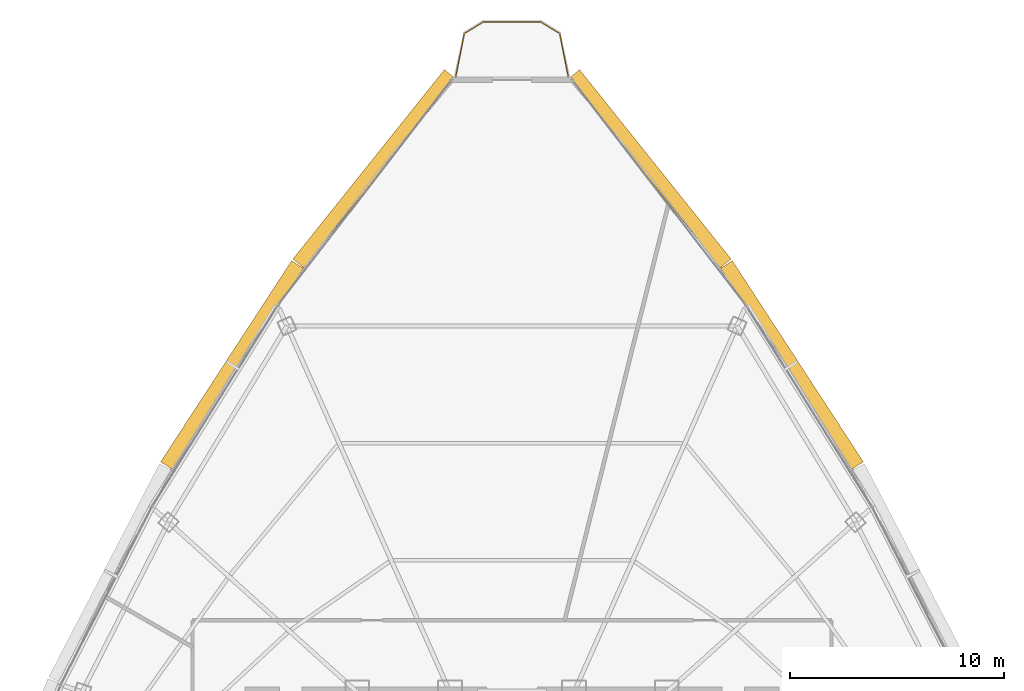
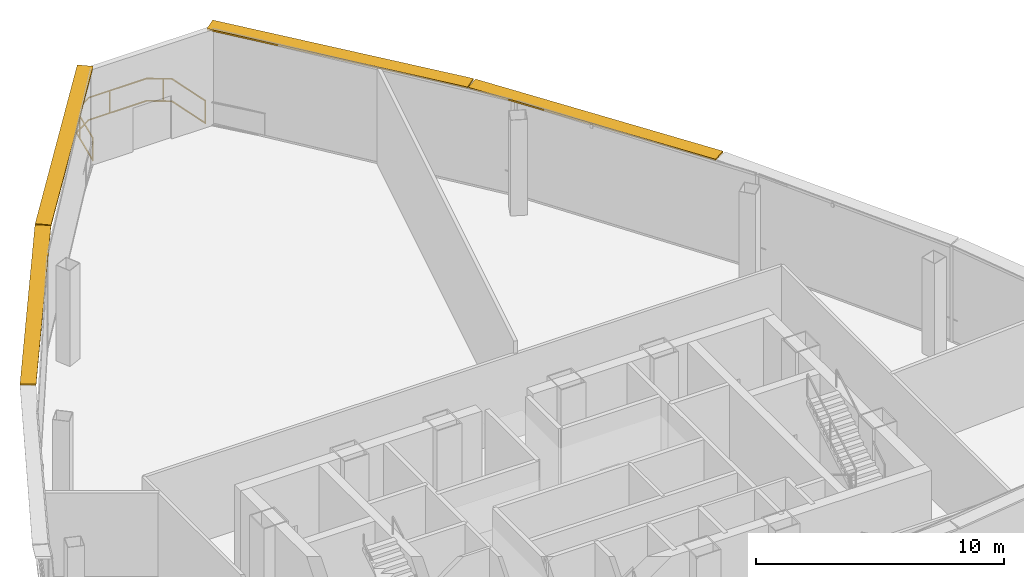
# One storey, part 29 of 29: 4 shading devices, 1 railing.
"""IFC4 building model written with IfcOpenShell, lengths in metres."""

import ifcopenshell
import ifcopenshell.guid

model = None  # the IFC model being written
_history = None  # IfcOwnerHistory: only IFC2X3 demands one
_inside = {}  # id of a spatial element -> (the spatial element, [elements in it])
_under = {}  # id of a project, library or spatial element -> (it, [spatial elements below it])
_declared = {}  # id of a project -> (the project, [libraries it declares])
_typed = {}  # id of a type object -> (the type object, [elements of that type])
_made_of = {}  # id of a material, layer set ... -> (it, [elements and type objects made of it])


def new_model(schema):
    """Start an empty IFC model of exactly this schema.

    Asked for "IFC4X3", IfcOpenShell would pick the latest addendum, in which some entities
    have other attributes; the version numbers below select the first issue.
    IFC2X3 requires an IfcOwnerHistory on every rooted entity: one is made here for all.
    """
    global model, _history
    if schema == "IFC4X3":
        model = ifcopenshell.file(schema_version=(4, 3, 0, 0))
    else:
        model = ifcopenshell.file(schema=schema)
    _inside.clear()
    _under.clear()
    _declared.clear()
    _typed.clear()
    _made_of.clear()
    _history = None
    if model.schema == "IFC2X3":
        org = make("IfcOrganization", Name="unknown")
        user = make(
            "IfcPersonAndOrganization",
            ThePerson=make("IfcPerson", FamilyName="unknown"),
            TheOrganization=org,
        )
        app = make(
            "IfcApplication",
            ApplicationDeveloper=org,
            Version="unknown",
            ApplicationFullName="unknown",
            ApplicationIdentifier="unknown",
        )
        _history = make(
            "IfcOwnerHistory",
            OwningUser=user,
            OwningApplication=app,
            ChangeAction="ADDED",
            CreationDate=0,
        )
    return model


def make(cls, **values):
    """One entity of the class cls with the attributes given. An attribute that is None is left unset."""
    return model.create_entity(
        cls, **{name: value for name, value in values.items() if value is not None}
    )


def rooted(cls, **values):
    """An entity with a GlobalId (a new one), such as an element, a storey or a relation."""
    return make(cls, GlobalId=ifcopenshell.guid.new(), OwnerHistory=_history, **values)


def si_unit(unit_type, name, prefix=None):
    """IfcSIUnit, for example si_unit("LENGTHUNIT", "METRE", prefix="MILLI")."""
    return make("IfcSIUnit", UnitType=unit_type, Prefix=prefix, Name=name)


def assignment(units):
    """IfcUnitAssignment: the units of a project."""
    return None if units is None else make("IfcUnitAssignment", Units=units)


def point(xyz):
    """IfcCartesianPoint."""
    return None if xyz is None else make("IfcCartesianPoint", Coordinates=xyz)


def direction(xyz):
    """IfcDirection."""
    return None if xyz is None else make("IfcDirection", DirectionRatios=xyz)


def frame(location, z_axis=None, x_axis=None):
    """IfcAxis2Placement3D, a coordinate frame: its origin and axes. An axis left out is left unset."""
    return make(
        "IfcAxis2Placement3D",
        Location=point(location),
        Axis=direction(z_axis),
        RefDirection=direction(x_axis),
    )


def frame_2d(location, x_axis=None):
    """IfcAxis2Placement2D, a coordinate frame in the plane: its origin and x axis."""
    return make(
        "IfcAxis2Placement2D", Location=point(location), RefDirection=direction(x_axis)
    )


def origin():
    """The frame at (0, 0, 0) with its axes left unset."""
    return frame((0.0, 0.0, 0.0))


def origin_2d():
    """The frame at (0, 0) in the plane with its x axis left unset."""
    return frame_2d((0.0, 0.0))


def place(relative_to, where):
    """IfcLocalPlacement: puts the frame where relative to a parent placement (None: the world)."""
    return make(
        "IfcLocalPlacement", PlacementRelTo=relative_to, RelativePlacement=where
    )


def context(
    kind, dimensions, precision=None, world=None, true_north=None, identifier=None
):
    """IfcGeometricRepresentationContext, for example the 3D "Model" context."""
    return make(
        "IfcGeometricRepresentationContext",
        ContextIdentifier=identifier,
        ContextType=kind,
        CoordinateSpaceDimension=dimensions,
        Precision=precision,
        WorldCoordinateSystem=world,
        TrueNorth=true_north,
    )


def subcontext(parent, identifier, kind, view, scale=None):
    """IfcGeometricRepresentationSubContext, for example "Body" below "Model"."""
    return make(
        "IfcGeometricRepresentationSubContext",
        ContextIdentifier=identifier,
        ContextType=kind,
        ParentContext=parent,
        TargetScale=scale,
        TargetView=view,
    )


def project(units=None, contexts=None):
    """IfcProject with its units and contexts."""
    return rooted(
        "IfcProject",
        Name="project",
        RepresentationContexts=contexts,
        UnitsInContext=assignment(units),
    )


def spatial(cls, under=None, at=None, **own):
    """A site, building, storey or space (cls), placed at a placement, below another one or the project."""
    s = rooted(cls, ObjectPlacement=at, **own)
    if under is not None:
        _under.setdefault(under.id(), (under, []))[1].append(s)
    return s


def profile(cls, at=None, kind="AREA", **sizes):
    """A parametric profile (cls). Its sizes go by their IFC names, for example OverallWidth=200.0."""
    return make(cls, ProfileType=kind, Position=at, **sizes)


def rectangle(**sizes):
    """IfcRectangleProfileDef."""
    return profile("IfcRectangleProfileDef", **sizes)


def extrude(swept, where, along, depth):
    """IfcExtrudedAreaSolid: the profile swept, set in the frame where, extruded along a direction by depth."""
    return make(
        "IfcExtrudedAreaSolid",
        SweptArea=swept,
        Position=where,
        ExtrudedDirection=direction(along),
        Depth=depth,
    )


def shape(context_of_items, identifier, shape_type, items):
    """IfcShapeRepresentation: the items that make up one representation, for example the "Body"."""
    return make(
        "IfcShapeRepresentation",
        ContextOfItems=context_of_items,
        RepresentationIdentifier=identifier,
        RepresentationType=shape_type,
        Items=items,
    )


def source(mapping_origin, context_of_items, identifier, shape_type, items):
    """IfcRepresentationMap: a shape defined once, which mapped items show again and again."""
    return make(
        "IfcRepresentationMap",
        MappingOrigin=mapping_origin,
        MappedRepresentation=shape(context_of_items, identifier, shape_type, items),
    )


def transform(
    local_origin,
    x_axis=None,
    y_axis=None,
    z_axis=None,
    scale=None,
    scale2=None,
    scale3=None,
    uniform=True,
):
    """IfcCartesianTransformationOperator3D, or its non-uniform kind. x_axis, y_axis, z_axis: its Axis1, 2, 3."""
    if uniform:
        return make(
            "IfcCartesianTransformationOperator3D",
            Axis1=direction(x_axis),
            Axis2=direction(y_axis),
            LocalOrigin=point(local_origin),
            Scale=scale,
            Axis3=direction(z_axis),
        )
    return make(
        "IfcCartesianTransformationOperator3DnonUniform",
        Axis1=direction(x_axis),
        Axis2=direction(y_axis),
        LocalOrigin=point(local_origin),
        Scale=scale,
        Axis3=direction(z_axis),
        Scale2=scale2,
        Scale3=scale3,
    )


def mapped(mapping_source, mapping_target):
    """IfcMappedItem: shows the shape of a source again, moved by a transform."""
    return make(
        "IfcMappedItem", MappingSource=mapping_source, MappingTarget=mapping_target
    )


def material(Name=None, Category=None):
    """IfcMaterial."""
    return make("IfcMaterial", Name=Name, Category=Category)


def layer(
    of_material, thickness, ventilated=None, Name=None, Category=None, Priority=None
):
    """IfcMaterialLayer: one layer of a wall or slab, of a material (None: an air gap)."""
    return make(
        "IfcMaterialLayer",
        Material=of_material,
        LayerThickness=thickness,
        IsVentilated=ventilated,
        Name=Name,
        Category=Category,
        Priority=Priority,
    )


def layer_set(layers, Name=None):
    """IfcMaterialLayerSet."""
    return make("IfcMaterialLayerSet", MaterialLayers=layers, LayerSetName=Name)


def made_of(thing, what):
    """Note that an element or type object is made of a material, layer set ...; save() writes the relation."""
    if what is not None:
        _made_of.setdefault(what.id(), (what, []))[1].append(thing)
    return thing


def type_object(cls, material=None, **own):
    """A type object (cls), such as IfcWallType, which elements share."""
    return made_of(rooted(cls, **own), material)


def element(
    cls,
    number,
    at=None,
    inside=None,
    cuts=None,
    type_object=None,
    material=None,
    context=None,
    identifier="Body",
    shape_type=None,
    held_by="IfcProductDefinitionShape",
    body=None,
    shapes=None,
    **own,
):
    """One element of the class cls, such as IfcWall. Its Tag is "e" and its number.

    at: its placement. inside: the storey or other place that contains it. cuts: it is an
    opening in that element (IfcRelVoidsElement). A single representation is given by context,
    identifier, shape_type and body (its items); several are given by shapes. held_by: the class
    of the entity that holds the representations. save() writes the other relations.
    """
    e = rooted(cls, Tag="e%d" % number, ObjectPlacement=at, **own)
    if body is not None:
        shapes = [shape(context, identifier, shape_type, body)]
    if shapes is not None:
        e.Representation = make(held_by, Representations=shapes)
    if inside is not None:
        _inside.setdefault(inside.id(), (inside, []))[1].append(e)
    if cuts is not None:
        rooted(
            "IfcRelVoidsElement", RelatingBuildingElement=cuts, RelatedOpeningElement=e
        )
    if type_object is not None:
        _typed.setdefault(type_object.id(), (type_object, []))[1].append(e)
    return made_of(e, material)


def aggregate(whole, parts):
    """IfcRelAggregates: a whole, such as a stair, and the parts it consists of."""
    return rooted("IfcRelAggregates", RelatingObject=whole, RelatedObjects=parts)


def save(model, path):
    """Write the relations noted so far, then the file.

    IfcRelAggregates (storeys below a building ...), IfcRelContainedInSpatialStructure (elements
    in a storey), IfcRelDefinesByType, IfcRelAssociatesMaterial and IfcRelDeclares: one each for
    every whole, place, type object, material and project.
    """
    for whole, parts in _under.values():
        aggregate(whole, parts)
    for where, things in _inside.values():
        rooted(
            "IfcRelContainedInSpatialStructure",
            RelatedElements=things,
            RelatingStructure=where,
        )
    for kind, things in _typed.values():
        rooted("IfcRelDefinesByType", RelatedObjects=things, RelatingType=kind)
    for what, things in _made_of.values():
        rooted("IfcRelAssociatesMaterial", RelatedObjects=things, RelatingMaterial=what)
    for by, libraries in _declared.values():
        rooted("IfcRelDeclares", RelatingContext=by, RelatedDefinitions=libraries)
    model.write(path)


model = new_model("IFC4")

# Units and contexts
model_context = context("Model", 3, precision=1e-05, world=origin(), true_north=direction((0.0, 1.0)))
body_context = subcontext(model_context, "Body", "Model", "MODEL_VIEW")
ifc_project = project(units=[si_unit("LENGTHUNIT", "METRE"), si_unit("AREAUNIT", "SQUARE_METRE"), si_unit("VOLUMEUNIT", "CUBIC_METRE"), si_unit("PLANEANGLEUNIT", "RADIAN"), si_unit("MASSUNIT", "GRAM", prefix="KILO"), si_unit("THERMODYNAMICTEMPERATUREUNIT", "KELVIN"), si_unit("POWERUNIT", "WATT")], contexts=[model_context])

# Site, building, storey
site_placement = place(None, origin())
site = spatial("IfcSite", under=ifc_project, at=site_placement, CompositionType="ELEMENT")
building_placement = place(site_placement, origin())
building = spatial("IfcBuilding", under=site, at=building_placement, Name="Yunzhuo Pagoda Commons", CompositionType="ELEMENT")
storey_placement = place(building_placement, frame((0.0, 0.0, 366.760009765625)))
storey = spatial("IfcBuildingStorey", under=building, at=storey_placement, Name="L92", CompositionType="ELEMENT", Elevation=366.760009765625)

# Railing
ifc_material = material(Name="Anodized aluminium 6063-T6", Category="aluminium")
railing_type = type_object("IfcRailingType", Name="RL-BAL1 Exterior Terrace & Balcony Balustrade 1150", PredefinedType="BALUSTRADE", material=ifc_material)
railing_placement = place(storey_placement, frame((50.625, 68.904296875, 0.0)))
element("IfcRailing", 1, at=railing_placement, inside=storey, type_object=railing_type, Name="L92 corner balcony balustrade V3", PredefinedType="BALUSTRADE", context=body_context, shape_type="SweptSolid", body=[
    extrude(rectangle(XDim=0.048095703125, YDim=0.048095703125, at=origin_2d()), frame((0.0, 0.0, 1.1259765625), z_axis=(-0.194314652384, 0.980939251875, 0.0), x_axis=(-0.980939251875, -0.194314652384, 0.0)), (0.0, 0.0, 1.0), 2.059326171875),
    extrude(rectangle(XDim=0.048095703125, YDim=0.048095703125, at=origin_2d()), frame((0.0, 0.0, 0.02392578125), z_axis=(-0.194314652384, 0.980939251875, 0.0), x_axis=(-0.980939251875, -0.194314652384, 0.0)), (0.0, 0.0, 1.0), 2.059326171875),
    extrude(rectangle(XDim=0.048095703125, YDim=0.048095703125, at=origin_2d()), frame((-0.400146484375, 2.02001953125, 1.1259765625), z_axis=(-0.854715497234, 0.519096733556, 0.0), x_axis=(-0.519096733556, -0.854715497234, 0.0)), (0.0, 0.0, 1.0), 1.0205078125),
    extrude(rectangle(XDim=0.048095703125, YDim=0.048095703125, at=origin_2d()), frame((-0.400146484375, 2.02001953125, 0.02392578125), z_axis=(-0.854715497234, 0.519096733556, 0.0), x_axis=(-0.519096733556, -0.854715497234, 0.0)), (0.0, 0.0, 1.0), 1.0205078125),
    extrude(rectangle(XDim=0.048095703125, YDim=0.048095703125, at=origin_2d()), frame((-1.2724609375, 2.5498046875, 1.1259765625), z_axis=(-1.0, 0.0, 0.0), x_axis=(0.0, -1.0, 0.0)), (0.0, 0.0, 1.0), 2.705078125),
    extrude(rectangle(XDim=0.048095703125, YDim=0.048095703125, at=origin_2d()), frame((-1.2724609375, 2.5498046875, 0.02392578125), z_axis=(-1.0, 0.0, 0.0), x_axis=(0.0, -1.0, 0.0)), (0.0, 0.0, 1.0), 2.705078125),
    extrude(rectangle(XDim=0.048095703125, YDim=0.048095703125, at=origin_2d()), frame((-3.9775390625, 2.5498046875, 1.1259765625), z_axis=(-0.854715497234, -0.519096733556, 0.0), x_axis=(0.519096733556, -0.854715497234, 0.0)), (0.0, 0.0, 1.0), 1.0205078125),
    extrude(rectangle(XDim=0.048095703125, YDim=0.048095703125, at=origin_2d()), frame((-3.9775390625, 2.5498046875, 0.02392578125), z_axis=(-0.854715497234, -0.519096733556, 0.0), x_axis=(0.519096733556, -0.854715497234, 0.0)), (0.0, 0.0, 1.0), 1.0205078125),
    extrude(rectangle(XDim=0.048095703125, YDim=0.048095703125, at=origin_2d()), frame((-4.849853515625, 2.02001953125, 1.1259765625), z_axis=(-0.194314652384, -0.980939251875, 0.0), x_axis=(0.980939251875, -0.194314652384, 0.0)), (0.0, 0.0, 1.0), 2.059326171875),
    extrude(rectangle(XDim=0.048095703125, YDim=0.048095703125, at=origin_2d()), frame((-4.849853515625, 2.02001953125, 0.02392578125), z_axis=(-0.194314652384, -0.980939251875, 0.0), x_axis=(0.980939251875, -0.194314652384, 0.0)), (0.0, 0.0, 1.0), 2.059326171875),
    extrude(rectangle(XDim=0.0419921875, YDim=0.0419921875, at=origin_2d()), origin(), (0.0, 0.0, 1.0), 1.101806640625),
    extrude(rectangle(XDim=0.0419921875, YDim=0.0419921875, at=origin_2d()), frame((-0.69140625, 2.19677734375, 0.0)), (0.0, 0.0, 1.0), 1.101806640625),
    extrude(rectangle(XDim=0.0419921875, YDim=0.0419921875, at=origin_2d()), frame((-2.99267578125, 2.5498046875, 0.0)), (0.0, 0.0, 1.0), 1.101806640625),
    extrude(rectangle(XDim=0.0419921875, YDim=0.0419921875, at=origin_2d()), frame((-4.926513671875, 1.633056640625, 0.0)), (0.0, 0.0, 1.0), 1.101806640625),
    extrude(rectangle(XDim=0.0419921875, YDim=0.0419921875, at=origin_2d()), frame((-5.25, 0.0, 0.0)), (0.0, 0.0, 1.0), 1.101806640625),
])

# Shading devices
ifc_layer = layer(ifc_material, 0.080078125)
ifc_layer_set = layer_set([ifc_layer], Name="Anodized aluminium 6063-T6")
shading_device_type = type_object("IfcShadingDeviceType", Name="SH-SUN1 Pagoda Horizontal Sunshade Eave 650", PredefinedType="USERDEFINED", material=ifc_layer_set)
shared_shape_1 = source(origin(), body_context, "Body", "SweptSolid", [
    extrude(rectangle(XDim=11.311279296875, YDim=0.64990234375, at=origin_2d()), origin(), (0.0, 0.0, 1.0), 0.080078125),
])
for number, where, z_axis, x_axis, name in (
    (2, (54.43701171875, 64.621337890625, 4.639892578125), (0.0, 0.0, 1.0), (-0.624520471688, 0.781008438138, 0.0), "L92 horizontal pagoda sunshade eave F2.4"),
    (3, (41.56298828125, 64.621337890625, 4.639892578125), (0.0, 0.0, 1.0), (-0.624520471688, -0.781008438138, 0.0), "L92 horizontal pagoda sunshade eave F3.1"),
):
    element("IfcShadingDevice", number, at=place(storey_placement, frame(where, z_axis=z_axis, x_axis=x_axis)), inside=storey, type_object=shading_device_type, Name=name, ObjectType="SUNSHADE", PredefinedType="USERDEFINED", context=body_context, shape_type="MappedRepresentation", body=[
        mapped(shared_shape_1, transform((0.0, 0.0, 0.0), scale=1.0)),
    ])
shared_shape_2 = source(origin(), body_context, "Body", "SweptSolid", [
    extrude(rectangle(XDim=11.203857421875, YDim=0.64990234375, at=origin_2d()), origin(), (0.0, 0.0, 1.0), 0.080078125),
])
for number, where, z_axis, x_axis, name in (
    (4, (61.063720703125, 55.459228515625, 4.639892578125), (0.0, 0.0, 1.0), (-0.545853380833, 0.837880711458, 0.0), "L92 horizontal pagoda sunshade eave F2.3"),
    (5, (34.936279296875, 55.459228515625, 4.639892578125), (0.0, 0.0, 1.0), (-0.545853380833, -0.837880711458, 0.0), "L92 horizontal pagoda sunshade eave F3.2"),
):
    element("IfcShadingDevice", number, at=place(storey_placement, frame(where, z_axis=z_axis, x_axis=x_axis)), inside=storey, type_object=shading_device_type, Name=name, ObjectType="SUNSHADE", PredefinedType="USERDEFINED", context=body_context, shape_type="MappedRepresentation", body=[
        mapped(shared_shape_2, transform((0.0, 0.0, 0.0), scale=1.0)),
    ])

save(model, "model.ifc")
